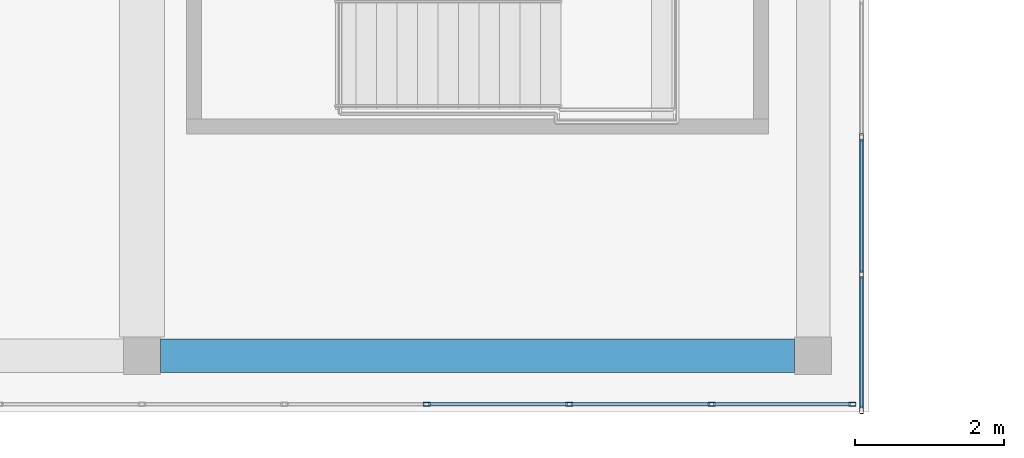
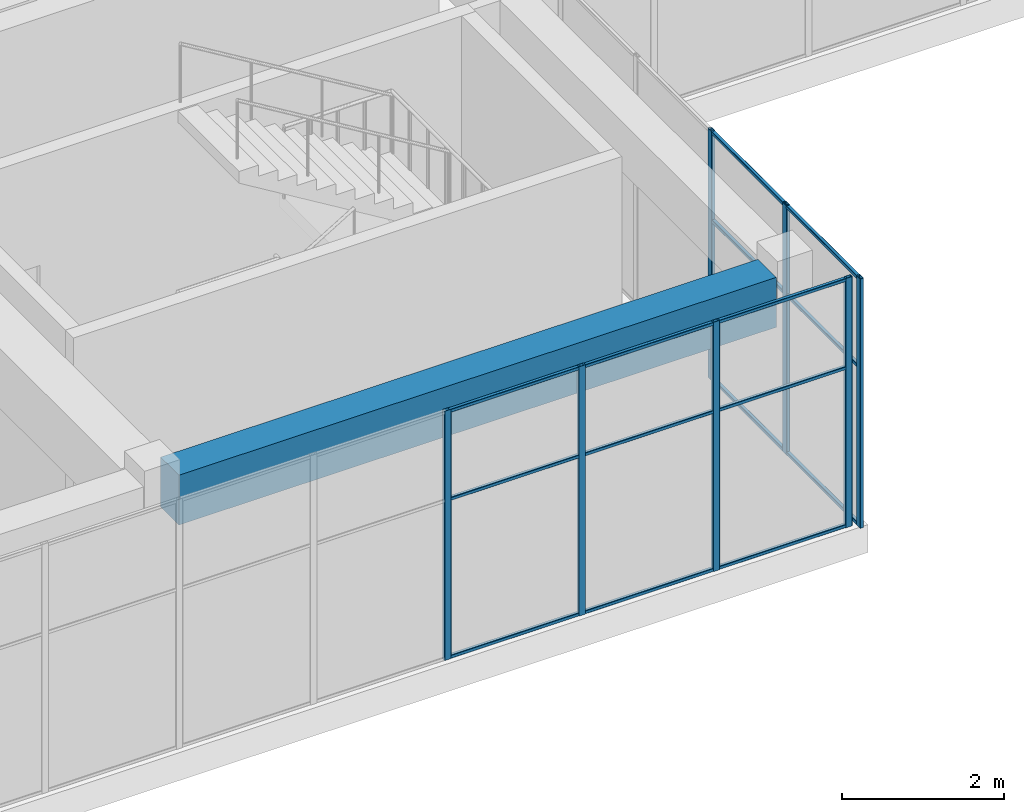
# One storey, part 8 of 34: 22 members, 1 beam, 2 elements without a shape of their own.
"""IFC4 building model written with IfcOpenShell, lengths in metres."""

from ifc_helpers import new_model, si_unit, direction, frame, origin, origin_2d, place, context, subcontext, project, spatial, rectangle, hollow_rectangle, extrude, material, layer, layer_set, material_profile, profile_set, type_object, element, aggregate, save


model = new_model("IFC4")

# Units and contexts
model_context = context("Model", 3, precision=1e-05, world=origin(), true_north=direction((0.0, 1.0)))
body_context = subcontext(model_context, "Body", "Model", "MODEL_VIEW")
ifc_project = project(units=[si_unit("LENGTHUNIT", "METRE"), si_unit("AREAUNIT", "SQUARE_METRE"), si_unit("VOLUMEUNIT", "CUBIC_METRE"), si_unit("PLANEANGLEUNIT", "RADIAN"), si_unit("MASSUNIT", "GRAM", prefix="KILO")], contexts=[model_context])

# Site, building, storey
site_placement = place(None, origin())
site = spatial("IfcSite", under=ifc_project, at=site_placement, CompositionType="ELEMENT")
building_placement = place(site_placement, origin())
building = spatial("IfcBuilding", under=site, at=building_placement, Name="Tuart Plaza Theatre", CompositionType="ELEMENT")
storey_placement = place(building_placement, frame((0.0, 0.0, 53.5)))
storey = spatial("IfcBuildingStorey", under=building, at=storey_placement, Name="L13", CompositionType="ELEMENT", Elevation=53.5)

# Beam
ifc_material_1 = material(Name="Concrete N40 (40 MPa)", Category="concrete")
ifc_material_profile_1 = material_profile(ifc_material_1, rectangle(XDim=0.449951171875, YDim=0.75, at=origin_2d()), Name="BEAM 450x750 Concrete N40 (40 MPa)")
ifc_profile_set_1 = profile_set([ifc_material_profile_1], Name="Concrete N40 (40 MPa)")
beam_type = type_object("IfcBeamType", Name="BEAM 450x750 Concrete N40 (40 MPa)", PredefinedType="BEAM", material=ifc_profile_set_1)
beam_placement = place(storey_placement, frame((132.25, 56.0, 3.375), z_axis=(1.0, 0.0, 0.0), x_axis=(0.0, 1.0, 0.0)))
element("IfcBeam", 1, at=beam_placement, inside=storey, type_object=beam_type, Name="RB334", PredefinedType="BEAM", context=body_context, shape_type="SweptSolid", body=[
    extrude(rectangle(XDim=0.449951171875, YDim=0.75, at=origin_2d()), origin(), (0.0, 0.0, 1.0), 8.5),
])

# Curtain wall, members
ifc_material_2 = material(Name="Aluminium and glass", Category="aluminium")
ifc_layer = layer(ifc_material_2, 0.10009765625)
ifc_layer_set = layer_set([ifc_layer], Name="CURTAIN WALL 2000 module")
curtain_wall_type = type_object("IfcCurtainWallType", Name="CURTAIN WALL 2000 module", PredefinedType="NOTDEFINED", material=ifc_layer_set)
curtain_wall_1_placement = place(storey_placement, origin())
curtain_wall_1 = element("IfcCurtainWall", 2, at=curtain_wall_1_placement, inside=storey, type_object=curtain_wall_type, Name="CW112", PredefinedType="NOTDEFINED")
ifc_material_3 = material(Name="Aluminium 6063-T5", Category="aluminium")
ifc_material_profile_2 = material_profile(ifc_material_3, hollow_rectangle(XDim=0.050048828125, YDim=0.10009765625, WallThickness=0.00390625, InnerFilletRadius=0.00390625, OuterFilletRadius=0.008056640625, at=origin_2d()), Name="RHS 100x50x4")
ifc_profile_set_2 = profile_set([ifc_material_profile_2], Name="Aluminium 6063-T5")
member_type_1 = type_object("IfcMemberType", Name="MULLION RHS 100x50x4", PredefinedType="MULLION", material=ifc_profile_set_2)
member_1_placement = place(storey_placement, frame((141.64990234375, 55.27490234375, 0.0), z_axis=(0.0, 0.0, 1.0), x_axis=(-1.0, 0.0, 0.0)))
member_1 = element("IfcMember", 3, at=member_1_placement, type_object=member_type_1, Name="CW112 mullion 1", PredefinedType="MULLION", context=body_context, shape_type="SweptSolid", body=[
    extrude(hollow_rectangle(XDim=0.050048828125, YDim=0.10009765625, WallThickness=0.00390625, InnerFilletRadius=0.00390625, OuterFilletRadius=0.008056640625, at=origin_2d()), origin(), (0.0, 0.0, 1.0), 3.75),
])
member_2_placement = place(storey_placement, frame((141.64990234375, 57.090087890625, 0.0), z_axis=(0.0, 0.0, 1.0), x_axis=(-1.0, 0.0, 0.0)))
member_2 = element("IfcMember", 4, at=member_2_placement, type_object=member_type_1, Name="CW112 mullion 2", PredefinedType="MULLION", context=body_context, shape_type="SweptSolid", body=[
    extrude(hollow_rectangle(XDim=0.050048828125, YDim=0.10009765625, WallThickness=0.00390625, InnerFilletRadius=0.00390625, OuterFilletRadius=0.008056640625, at=origin_2d()), origin(), (0.0, 0.0, 1.0), 3.75),
])
member_3_placement = place(storey_placement, frame((141.64990234375, 58.929931640625, 0.0), z_axis=(0.0, 0.0, 1.0), x_axis=(-1.0, 0.0, 0.0)))
member_3 = element("IfcMember", 5, at=member_3_placement, type_object=member_type_1, Name="CW112 mullion 3", PredefinedType="MULLION", context=body_context, shape_type="SweptSolid", body=[
    extrude(hollow_rectangle(XDim=0.050048828125, YDim=0.10009765625, WallThickness=0.00390625, InnerFilletRadius=0.00390625, OuterFilletRadius=0.008056640625, at=origin_2d()), origin(), (0.0, 0.0, 1.0), 3.75),
])

curtain_wall_2_placement = place(storey_placement, origin())
curtain_wall_2 = element("IfcCurtainWall", 6, at=curtain_wall_2_placement, inside=storey, type_object=curtain_wall_type, Name="CW122", PredefinedType="NOTDEFINED")
member_4_placement = place(storey_placement, frame((135.820068359375, 55.35009765625, 0.0), z_axis=(0.0, 0.0, 1.0), x_axis=(0.0, 1.0, 0.0)))
member_4 = element("IfcMember", 7, at=member_4_placement, type_object=member_type_1, Name="CW122 mullion 8", PredefinedType="MULLION", context=body_context, shape_type="SweptSolid", body=[
    extrude(hollow_rectangle(XDim=0.050048828125, YDim=0.10009765625, WallThickness=0.00390625, InnerFilletRadius=0.00390625, OuterFilletRadius=0.008056640625, at=origin_2d()), origin(), (0.0, 0.0, 1.0), 3.75),
])
member_5_placement = place(storey_placement, frame((137.72998046875, 55.35009765625, 0.0), z_axis=(0.0, 0.0, 1.0), x_axis=(0.0, 1.0, 0.0)))
member_5 = element("IfcMember", 8, at=member_5_placement, type_object=member_type_1, Name="CW122 mullion 9", PredefinedType="MULLION", context=body_context, shape_type="SweptSolid", body=[
    extrude(hollow_rectangle(XDim=0.050048828125, YDim=0.10009765625, WallThickness=0.00390625, InnerFilletRadius=0.00390625, OuterFilletRadius=0.008056640625, at=origin_2d()), origin(), (0.0, 0.0, 1.0), 3.75),
])
member_6_placement = place(storey_placement, frame((139.639892578125, 55.35009765625, 0.0), z_axis=(0.0, 0.0, 1.0), x_axis=(0.0, 1.0, 0.0)))
member_6 = element("IfcMember", 9, at=member_6_placement, type_object=member_type_1, Name="CW122 mullion 10", PredefinedType="MULLION", context=body_context, shape_type="SweptSolid", body=[
    extrude(hollow_rectangle(XDim=0.050048828125, YDim=0.10009765625, WallThickness=0.00390625, InnerFilletRadius=0.00390625, OuterFilletRadius=0.008056640625, at=origin_2d()), origin(), (0.0, 0.0, 1.0), 3.75),
])
member_7_placement = place(storey_placement, frame((141.52490234375, 55.35009765625, 0.0), z_axis=(0.0, 0.0, 1.0), x_axis=(0.0, 1.0, 0.0)))
member_7 = element("IfcMember", 10, at=member_7_placement, type_object=member_type_1, Name="CW122 mullion 11", PredefinedType="MULLION", context=body_context, shape_type="SweptSolid", body=[
    extrude(hollow_rectangle(XDim=0.050048828125, YDim=0.10009765625, WallThickness=0.00390625, InnerFilletRadius=0.00390625, OuterFilletRadius=0.008056640625, at=origin_2d()), origin(), (0.0, 0.0, 1.0), 3.75),
])

# Member
ifc_material_4 = material(Name="Aluminium 6063-T5", Category="aluminium")
ifc_material_profile_3 = material_profile(ifc_material_4, hollow_rectangle(XDim=0.050048828125, YDim=0.050048828125, WallThickness=0.00390625, InnerFilletRadius=0.00390625, OuterFilletRadius=0.008056640625, at=origin_2d()), Name="RHS 50x50x4")
ifc_profile_set_3 = profile_set([ifc_material_profile_3], Name="Aluminium 6063-T5")
member_type_2 = type_object("IfcMemberType", Name="TRANSOM RHS 50x50x4", PredefinedType="USERDEFINED", material=ifc_profile_set_3)
member_8_placement = place(storey_placement, frame((141.64990234375, 55.300048828125, 0.02490234375), z_axis=(0.0, 1.0, 0.0), x_axis=(-1.0, 0.0, 0.0)))
member_8 = element("IfcMember", 11, at=member_8_placement, type_object=member_type_2, Name="CW112 transom 1.1", ObjectType="TRANSOM", PredefinedType="USERDEFINED", context=body_context, shape_type="SweptSolid", body=[
    extrude(hollow_rectangle(XDim=0.050048828125, YDim=0.050048828125, WallThickness=0.00390625, InnerFilletRadius=0.00390625, OuterFilletRadius=0.008056640625, at=origin_2d()), origin(), (0.0, 0.0, 1.0), 1.764892578125),
])

member_9_placement = place(storey_placement, frame((141.64990234375, 55.300048828125, 2.39990234375), z_axis=(0.0, 1.0, 0.0), x_axis=(-1.0, 0.0, 0.0)))
member_9 = element("IfcMember", 12, at=member_9_placement, type_object=member_type_2, Name="CW112 transom 1.2", ObjectType="TRANSOM", PredefinedType="USERDEFINED", context=body_context, shape_type="SweptSolid", body=[
    extrude(hollow_rectangle(XDim=0.050048828125, YDim=0.050048828125, WallThickness=0.00390625, InnerFilletRadius=0.00390625, OuterFilletRadius=0.008056640625, at=origin_2d()), origin(), (0.0, 0.0, 1.0), 1.764892578125),
])

member_10_placement = place(storey_placement, frame((141.64990234375, 55.300048828125, 3.72509765625), z_axis=(0.0, 1.0, 0.0), x_axis=(-1.0, 0.0, 0.0)))
member_10 = element("IfcMember", 13, at=member_10_placement, type_object=member_type_2, Name="CW112 transom 1.3", ObjectType="TRANSOM", PredefinedType="USERDEFINED", context=body_context, shape_type="SweptSolid", body=[
    extrude(hollow_rectangle(XDim=0.050048828125, YDim=0.050048828125, WallThickness=0.00390625, InnerFilletRadius=0.00390625, OuterFilletRadius=0.008056640625, at=origin_2d()), origin(), (0.0, 0.0, 1.0), 1.764892578125),
])

member_11_placement = place(storey_placement, frame((141.64990234375, 57.114990234375, 0.02490234375), z_axis=(0.0, 1.0, 0.0), x_axis=(-1.0, 0.0, 0.0)))
member_11 = element("IfcMember", 14, at=member_11_placement, type_object=member_type_2, Name="CW112 transom 2.1", ObjectType="TRANSOM", PredefinedType="USERDEFINED", context=body_context, shape_type="SweptSolid", body=[
    extrude(hollow_rectangle(XDim=0.050048828125, YDim=0.050048828125, WallThickness=0.00390625, InnerFilletRadius=0.00390625, OuterFilletRadius=0.008056640625, at=origin_2d()), origin(), (0.0, 0.0, 1.0), 1.7900390625),
])

member_12_placement = place(storey_placement, frame((141.64990234375, 57.114990234375, 2.39990234375), z_axis=(0.0, 1.0, 0.0), x_axis=(-1.0, 0.0, 0.0)))
member_12 = element("IfcMember", 15, at=member_12_placement, type_object=member_type_2, Name="CW112 transom 2.2", ObjectType="TRANSOM", PredefinedType="USERDEFINED", context=body_context, shape_type="SweptSolid", body=[
    extrude(hollow_rectangle(XDim=0.050048828125, YDim=0.050048828125, WallThickness=0.00390625, InnerFilletRadius=0.00390625, OuterFilletRadius=0.008056640625, at=origin_2d()), origin(), (0.0, 0.0, 1.0), 1.7900390625),
])

member_13_placement = place(storey_placement, frame((141.64990234375, 57.114990234375, 3.72509765625), z_axis=(0.0, 1.0, 0.0), x_axis=(-1.0, 0.0, 0.0)))
member_13 = element("IfcMember", 16, at=member_13_placement, type_object=member_type_2, Name="CW112 transom 2.3", ObjectType="TRANSOM", PredefinedType="USERDEFINED", context=body_context, shape_type="SweptSolid", body=[
    extrude(hollow_rectangle(XDim=0.050048828125, YDim=0.050048828125, WallThickness=0.00390625, InnerFilletRadius=0.00390625, OuterFilletRadius=0.008056640625, at=origin_2d()), origin(), (0.0, 0.0, 1.0), 1.7900390625),
])

aggregate(curtain_wall_1, [member_1, member_2, member_3, member_8, member_9, member_10, member_11, member_12, member_13])

member_14_placement = place(storey_placement, frame((135.844970703125, 55.35009765625, 0.02490234375), z_axis=(1.0, 0.0, 0.0), x_axis=(0.0, 1.0, 0.0)))
member_14 = element("IfcMember", 17, at=member_14_placement, type_object=member_type_2, Name="CW122 transom 8.1", ObjectType="TRANSOM", PredefinedType="USERDEFINED", context=body_context, shape_type="SweptSolid", body=[
    extrude(hollow_rectangle(XDim=0.050048828125, YDim=0.050048828125, WallThickness=0.00390625, InnerFilletRadius=0.00390625, OuterFilletRadius=0.008056640625, at=origin_2d()), origin(), (0.0, 0.0, 1.0), 1.860107421875),
])

member_15_placement = place(storey_placement, frame((135.844970703125, 55.35009765625, 2.39990234375), z_axis=(1.0, 0.0, 0.0), x_axis=(0.0, 1.0, 0.0)))
member_15 = element("IfcMember", 18, at=member_15_placement, type_object=member_type_2, Name="CW122 transom 8.2", ObjectType="TRANSOM", PredefinedType="USERDEFINED", context=body_context, shape_type="SweptSolid", body=[
    extrude(hollow_rectangle(XDim=0.050048828125, YDim=0.050048828125, WallThickness=0.00390625, InnerFilletRadius=0.00390625, OuterFilletRadius=0.008056640625, at=origin_2d()), origin(), (0.0, 0.0, 1.0), 1.860107421875),
])

member_16_placement = place(storey_placement, frame((135.844970703125, 55.35009765625, 3.72509765625), z_axis=(1.0, 0.0, 0.0), x_axis=(0.0, 1.0, 0.0)))
member_16 = element("IfcMember", 19, at=member_16_placement, type_object=member_type_2, Name="CW122 transom 8.3", ObjectType="TRANSOM", PredefinedType="USERDEFINED", context=body_context, shape_type="SweptSolid", body=[
    extrude(hollow_rectangle(XDim=0.050048828125, YDim=0.050048828125, WallThickness=0.00390625, InnerFilletRadius=0.00390625, OuterFilletRadius=0.008056640625, at=origin_2d()), origin(), (0.0, 0.0, 1.0), 1.860107421875),
])

member_17_placement = place(storey_placement, frame((137.7548828125, 55.35009765625, 0.02490234375), z_axis=(1.0, 0.0, 0.0), x_axis=(0.0, 1.0, 0.0)))
member_17 = element("IfcMember", 20, at=member_17_placement, type_object=member_type_2, Name="CW122 transom 9.1", ObjectType="TRANSOM", PredefinedType="USERDEFINED", context=body_context, shape_type="SweptSolid", body=[
    extrude(hollow_rectangle(XDim=0.050048828125, YDim=0.050048828125, WallThickness=0.00390625, InnerFilletRadius=0.00390625, OuterFilletRadius=0.008056640625, at=origin_2d()), origin(), (0.0, 0.0, 1.0), 1.860107421875),
])

member_18_placement = place(storey_placement, frame((137.7548828125, 55.35009765625, 2.39990234375), z_axis=(1.0, 0.0, 0.0), x_axis=(0.0, 1.0, 0.0)))
member_18 = element("IfcMember", 21, at=member_18_placement, type_object=member_type_2, Name="CW122 transom 9.2", ObjectType="TRANSOM", PredefinedType="USERDEFINED", context=body_context, shape_type="SweptSolid", body=[
    extrude(hollow_rectangle(XDim=0.050048828125, YDim=0.050048828125, WallThickness=0.00390625, InnerFilletRadius=0.00390625, OuterFilletRadius=0.008056640625, at=origin_2d()), origin(), (0.0, 0.0, 1.0), 1.860107421875),
])

member_19_placement = place(storey_placement, frame((137.7548828125, 55.35009765625, 3.72509765625), z_axis=(1.0, 0.0, 0.0), x_axis=(0.0, 1.0, 0.0)))
member_19 = element("IfcMember", 22, at=member_19_placement, type_object=member_type_2, Name="CW122 transom 9.3", ObjectType="TRANSOM", PredefinedType="USERDEFINED", context=body_context, shape_type="SweptSolid", body=[
    extrude(hollow_rectangle(XDim=0.050048828125, YDim=0.050048828125, WallThickness=0.00390625, InnerFilletRadius=0.00390625, OuterFilletRadius=0.008056640625, at=origin_2d()), origin(), (0.0, 0.0, 1.0), 1.860107421875),
])

member_20_placement = place(storey_placement, frame((139.6650390625, 55.35009765625, 0.02490234375), z_axis=(1.0, 0.0, 0.0), x_axis=(0.0, 1.0, 0.0)))
member_20 = element("IfcMember", 23, at=member_20_placement, type_object=member_type_2, Name="CW122 transom 10.1", ObjectType="TRANSOM", PredefinedType="USERDEFINED", context=body_context, shape_type="SweptSolid", body=[
    extrude(hollow_rectangle(XDim=0.050048828125, YDim=0.050048828125, WallThickness=0.00390625, InnerFilletRadius=0.00390625, OuterFilletRadius=0.008056640625, at=origin_2d()), origin(), (0.0, 0.0, 1.0), 1.8349609375),
])

member_21_placement = place(storey_placement, frame((139.6650390625, 55.35009765625, 2.39990234375), z_axis=(1.0, 0.0, 0.0), x_axis=(0.0, 1.0, 0.0)))
member_21 = element("IfcMember", 24, at=member_21_placement, type_object=member_type_2, Name="CW122 transom 10.2", ObjectType="TRANSOM", PredefinedType="USERDEFINED", context=body_context, shape_type="SweptSolid", body=[
    extrude(hollow_rectangle(XDim=0.050048828125, YDim=0.050048828125, WallThickness=0.00390625, InnerFilletRadius=0.00390625, OuterFilletRadius=0.008056640625, at=origin_2d()), origin(), (0.0, 0.0, 1.0), 1.8349609375),
])

member_22_placement = place(storey_placement, frame((139.6650390625, 55.35009765625, 3.72509765625), z_axis=(1.0, 0.0, 0.0), x_axis=(0.0, 1.0, 0.0)))
member_22 = element("IfcMember", 25, at=member_22_placement, type_object=member_type_2, Name="CW122 transom 10.3", ObjectType="TRANSOM", PredefinedType="USERDEFINED", context=body_context, shape_type="SweptSolid", body=[
    extrude(hollow_rectangle(XDim=0.050048828125, YDim=0.050048828125, WallThickness=0.00390625, InnerFilletRadius=0.00390625, OuterFilletRadius=0.008056640625, at=origin_2d()), origin(), (0.0, 0.0, 1.0), 1.8349609375),
])

aggregate(curtain_wall_2, [member_4, member_5, member_6, member_7, member_14, member_15, member_16, member_17, member_18, member_19, member_20, member_21, member_22])

save(model, "model.ifc")
